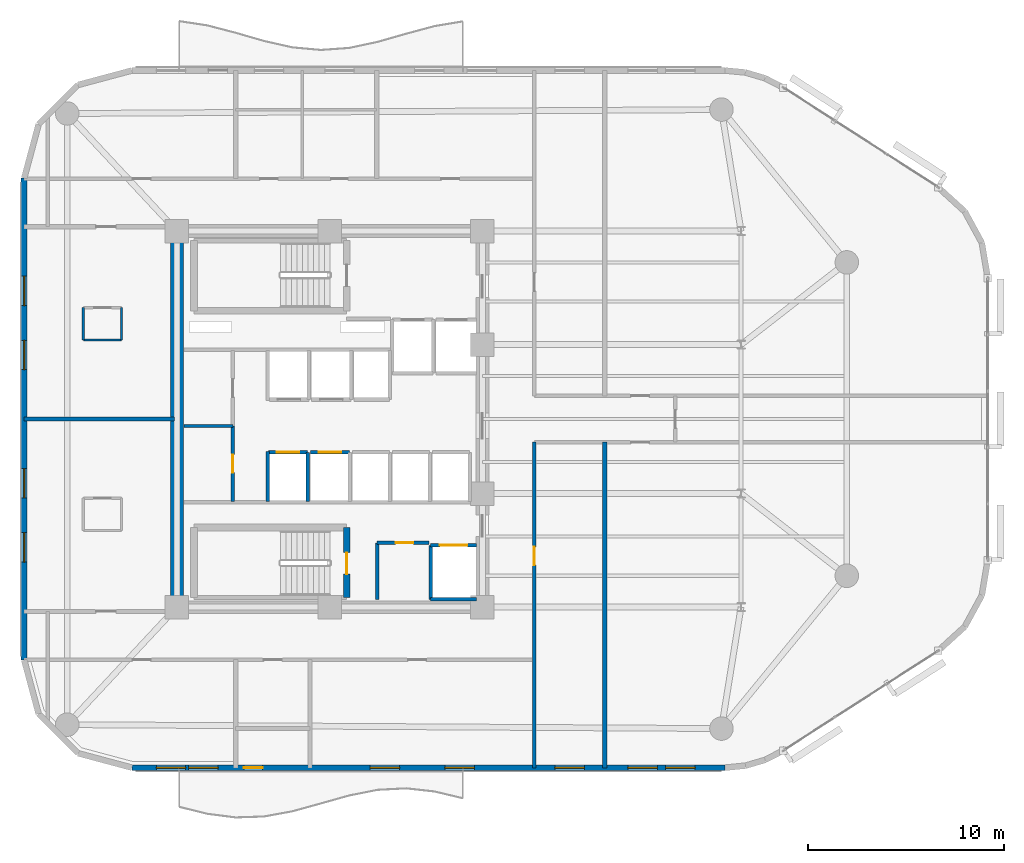
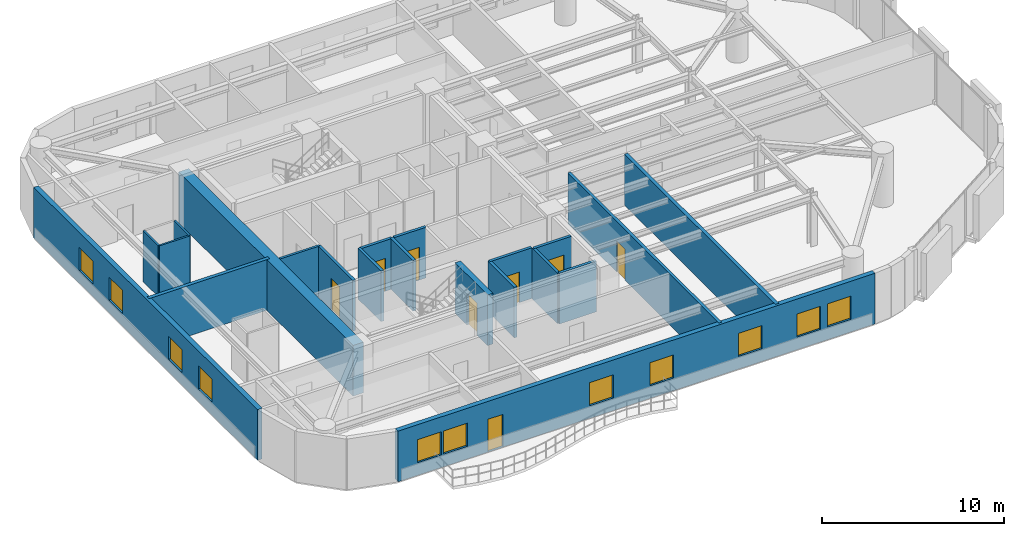
# One storey, part 10 of 15: 21 walls, 11 windows, 8 doors, 19 openings.
"""IFC4 building model written with IfcOpenShell, lengths in metres."""

from ifc_helpers import new_model, si_unit, direction, frame, frame_2d, origin, place, context, subcontext, project, spatial, rectangle, extrude, material, layer, layer_set, type_object, element, fill, save


model = new_model("IFC4")

# Units and contexts
model_context = context("Model", 3, precision=1e-05, world=origin(), true_north=direction((0.0, 1.0)))
body_context = subcontext(model_context, "Body", "Model", "MODEL_VIEW")
ifc_project = project(units=[si_unit("LENGTHUNIT", "METRE"), si_unit("AREAUNIT", "SQUARE_METRE"), si_unit("VOLUMEUNIT", "CUBIC_METRE"), si_unit("PLANEANGLEUNIT", "RADIAN"), si_unit("MASSUNIT", "GRAM", prefix="KILO")], contexts=[model_context])

# Site, building, storey
site_placement = place(None, origin())
site = spatial("IfcSite", under=ifc_project, at=site_placement, CompositionType="ELEMENT")
building_placement = place(site_placement, origin())
building = spatial("IfcBuilding", under=site, at=building_placement, Name="An Khanh Terracotta Commons", CompositionType="ELEMENT")
storey_placement = place(building_placement, frame((0.0, 0.0, 179.800048828125)))
storey = spatial("IfcBuildingStorey", under=building, at=storey_placement, Name="L47", CompositionType="ELEMENT", Elevation=179.800048828125)

# Wall
ifc_material_1 = material(Name="Concrete C60/75", Category="concrete")
ifc_layer_1 = layer(ifc_material_1, 0.64990234375, Name="Concrete C60/75")
ifc_layer_set_1 = layer_set([ifc_layer_1], Name="Concrete C60/75")
wall_type_1 = type_object("IfcWallType", Name="WALL-CORE-650", PredefinedType="SHEAR", material=ifc_layer_set_1)
wall_1_placement = place(storey_placement, frame((21.60009765625, 14.39990234375, 0.0), z_axis=(0.0, 0.0, 1.0), x_axis=(0.0, 1.0, 0.0)))
element("IfcWall", 1, at=wall_1_placement, inside=storey, type_object=wall_type_1, Name="L47 Core Wall CWALL-L47-W", PredefinedType="SHEAR", context=body_context, shape_type="SweptSolid", body=[
    extrude(rectangle(XDim=19.2001953125, YDim=0.64990234375, at=frame_2d((9.60009765625, 0.0))), origin(), (0.0, 0.0, 1.0), 3.39990234375),
])

# Wall, opening, door
ifc_material_2 = material(Name="Fire-Rated Gypsum Board on Steel Stud", Category="steel")
ifc_layer_2 = layer(ifc_material_2, 0.179931640625, Name="Fire-Rated Gypsum Board on Steel Stud")
ifc_layer_set_2 = layer_set([ifc_layer_2], Name="Fire-Rated Gypsum Board on Steel Stud")
wall_type_2 = type_object("IfcWallType", Name="WALL-CORR-180", PredefinedType="PARTITIONING", material=ifc_layer_set_2)
wall_2_placement = place(storey_placement, frame((31.820068359375, 17.679931640625, 0.0), z_axis=(0.0, 0.0, 1.0), x_axis=(1.0, 0.0, 0.0)))
wall_2 = element("IfcWall", 2, at=wall_2_placement, inside=storey, type_object=wall_type_2, Name="L47 Core Wall SSVCW-L47-N", PredefinedType="PARTITIONING", context=body_context, shape_type="SweptSolid", body=[
    extrude(rectangle(XDim=2.659912109375, YDim=0.179931640625, at=frame_2d((1.330078125, 0.0))), origin(), (0.0, 0.0, 1.0), 3.39990234375),
])
opening_1_placement = place(wall_2_placement, frame((0.949951171875, 0.0, 0.0)))
opening_1 = element("IfcOpeningElement", 3, at=opening_1_placement, cuts=wall_2, Name="Opening D-SV", PredefinedType="OPENING", context=body_context, shape_type="SweptSolid", body=[
    extrude(rectangle(XDim=0.89990234375, YDim=2.050048828125, at=frame_2d((0.449951171875, 1.02490234375))), frame((0.0, 0.099853515625, 0.0), z_axis=(0.0, -1.0, 0.0), x_axis=(1.0, 0.0, 0.0)), (0.0, 0.0, 1.0), 0.199951171875),
])
ifc_material_3 = material(Name="Fire-Rated Powder-Coated Steel Door", Category="steel")
door_type_1 = type_object("IfcDoorType", Name="DOOR-SERV-900", OperationType="NOTDEFINED", PredefinedType="DOOR", material=ifc_material_3)
door_1_placement = place(opening_1_placement, origin())
door_1 = element("IfcDoor", 4, at=door_1_placement, inside=storey, type_object=door_type_1, Name="L47 Electrical Switch Cupboard Door", OperationType="SINGLE_SWING_RIGHT", OverallHeight=2.050048828125, OverallWidth=0.89990234375, PredefinedType="DOOR", context=body_context, shape_type="SweptSolid", body=[
    extrude(rectangle(XDim=0.89990234375, YDim=2.050048828125, at=frame_2d((0.449951171875, 1.02490234375))), frame((0.0, 0.02490234375, 0.0), z_axis=(0.0, -1.0, 0.0), x_axis=(1.0, 0.0, 0.0)), (0.0, 0.0, 1.0), 0.050048828125),
])
fill(opening_1, door_1)

# Wall
wall_3_placement = place(storey_placement, frame((31.820068359375, 14.800048828125, 0.0), z_axis=(0.0, 0.0, 1.0), x_axis=(0.0, 1.0, 0.0)))
element("IfcWall", 5, at=wall_3_placement, inside=storey, type_object=wall_type_2, Name="L47 Core Wall SSVCW-L47-W", PredefinedType="PARTITIONING", context=body_context, shape_type="SweptSolid", body=[
    extrude(rectangle(XDim=2.8798828125, YDim=0.179931640625, at=frame_2d((1.43994140625, 0.0))), origin(), (0.0, 0.0, 1.0), 3.39990234375),
])

# Wall, opening, door
wall_4_placement = place(storey_placement, frame((34.550048828125, 17.550048828125, 0.0), z_axis=(0.0, 0.0, 1.0), x_axis=(1.0, 0.0, 0.0)))
wall_4 = element("IfcWall", 6, at=wall_4_placement, inside=storey, type_object=wall_type_2, Name="L47 Core Wall LSH-L47-SVL-01-N", PredefinedType="PARTITIONING", context=body_context, shape_type="SweptSolid", body=[
    extrude(rectangle(XDim=2.349853515625, YDim=0.179931640625, at=frame_2d((1.1748046875, 0.0))), origin(), (0.0, 0.0, 1.0), 3.39990234375),
])
opening_2_placement = place(wall_4_placement, frame((0.47509765625, 0.0, 0.0)))
opening_2 = element("IfcOpeningElement", 7, at=opening_2_placement, cuts=wall_4, Name="Opening LD-SVL-01-L47", PredefinedType="OPENING", context=body_context, shape_type="SweptSolid", body=[
    extrude(rectangle(XDim=1.39990234375, YDim=2.300048828125, at=frame_2d((0.699951171875, 1.14990234375))), frame((0.0, 0.099853515625, 0.0), z_axis=(0.0, -1.0, 0.0), x_axis=(1.0, 0.0, 0.0)), (0.0, 0.0, 1.0), 0.199951171875),
])
ifc_material_4 = material(Name="Heavy-Duty Stainless Steel Goods Landing Door", Category="steel")
door_type_2 = type_object("IfcDoorType", Name="DOOR-LD-SVL-1400", OperationType="NOTDEFINED", PredefinedType="DOOR", material=ifc_material_4)
door_2_placement = place(opening_2_placement, origin())
door_2 = element("IfcDoor", 8, at=door_2_placement, inside=storey, type_object=door_type_2, Name="L47 Lift SVL-01 Sliding Landing Door", OperationType="DOUBLE_DOOR_SLIDING", OverallHeight=2.300048828125, OverallWidth=1.39990234375, PredefinedType="DOOR", context=body_context, shape_type="SweptSolid", body=[
    extrude(rectangle(XDim=1.39990234375, YDim=2.300048828125, at=frame_2d((0.699951171875, 1.14990234375))), frame((0.0, 0.02490234375, 0.0), z_axis=(0.0, -1.0, 0.0), x_axis=(1.0, 0.0, 0.0)), (0.0, 0.0, 1.0), 0.050048828125),
])
fill(opening_2, door_2)

# Walls
wall_5_placement = place(storey_placement, frame((36.89990234375, 14.800048828125, 0.0), z_axis=(0.0, 0.0, 1.0), x_axis=(-1.0, 0.0, 0.0)))
element("IfcWall", 9, at=wall_5_placement, inside=storey, type_object=wall_type_2, Name="L47 Core Wall LSH-L47-SVL-01-S", PredefinedType="PARTITIONING", context=body_context, shape_type="SweptSolid", body=[
    extrude(rectangle(XDim=2.349853515625, YDim=0.179931640625, at=frame_2d((1.1748046875, 0.0))), origin(), (0.0, 0.0, 1.0), 3.39990234375),
])
wall_6_placement = place(storey_placement, frame((34.550048828125, 17.550048828125, 0.0), z_axis=(0.0, 0.0, 1.0), x_axis=(0.0, -1.0, 0.0)))
element("IfcWall", 10, at=wall_6_placement, inside=storey, type_object=wall_type_2, Name="L47 Core Wall LSH-L47-SVL-01-W", PredefinedType="PARTITIONING", context=body_context, shape_type="SweptSolid", body=[
    extrude(rectangle(XDim=2.75, YDim=0.179931640625, at=frame_2d((1.375, 0.0))), origin(), (0.0, 0.0, 1.0), 3.39990234375),
])

# Wall, opening, door
wall_7_placement = place(storey_placement, frame((26.280029296875, 22.300048828125, 0.0), z_axis=(0.0, 0.0, 1.0), x_axis=(1.0, 0.0, 0.0)))
wall_7 = element("IfcWall", 11, at=wall_7_placement, inside=storey, type_object=wall_type_2, Name="L47 Core Wall LSH-L47-PL-M3-N", PredefinedType="PARTITIONING", context=body_context, shape_type="SweptSolid", body=[
    extrude(rectangle(XDim=2.0, YDim=0.179931640625, at=frame_2d((1.0, 0.0))), origin(), (0.0, 0.0, 1.0), 3.39990234375),
])
opening_3_placement = place(wall_7_placement, frame((0.425048828125, 0.0, 0.0)))
opening_3 = element("IfcOpeningElement", 12, at=opening_3_placement, cuts=wall_7, Name="Opening LD-PL-M3-L47", PredefinedType="OPENING", context=body_context, shape_type="SweptSolid", body=[
    extrude(rectangle(XDim=1.14990234375, YDim=2.199951171875, at=frame_2d((0.574951171875, 1.10009765625))), frame((0.0, 0.099853515625, 0.0), z_axis=(0.0, -1.0, 0.0), x_axis=(1.0, 0.0, 0.0)), (0.0, 0.0, 1.0), 0.199951171875),
])
ifc_material_5 = material(Name="Brushed Stainless Steel Passenger Landing Door", Category="steel")
door_type_3 = type_object("IfcDoorType", Name="DOOR-LD-PAX-1150", OperationType="NOTDEFINED", PredefinedType="DOOR", material=ifc_material_5)
door_3_placement = place(opening_3_placement, origin())
door_3 = element("IfcDoor", 13, at=door_3_placement, inside=storey, type_object=door_type_3, Name="L47 Lift PL-M3 Sliding Landing Door", OperationType="DOUBLE_DOOR_SLIDING", OverallHeight=2.199951171875, OverallWidth=1.14990234375, PredefinedType="DOOR", context=body_context, shape_type="SweptSolid", body=[
    extrude(rectangle(XDim=1.14990234375, YDim=2.199951171875, at=frame_2d((0.574951171875, 1.10009765625))), frame((0.0, 0.02490234375, 0.0), z_axis=(0.0, -1.0, 0.0), x_axis=(1.0, 0.0, 0.0)), (0.0, 0.0, 1.0), 0.050048828125),
])
fill(opening_3, door_3)

# Wall
wall_8_placement = place(storey_placement, frame((28.280029296875, 19.800048828125, 0.0), z_axis=(0.0, 0.0, 1.0), x_axis=(0.0, 1.0, 0.0)))
element("IfcWall", 14, at=wall_8_placement, inside=storey, type_object=wall_type_2, Name="L47 Core Wall LSH-L47-PL-M3-E", PredefinedType="PARTITIONING", context=body_context, shape_type="SweptSolid", body=[
    extrude(rectangle(XDim=2.5, YDim=0.179931640625, at=frame_2d((1.25, 0.0))), origin(), (0.0, 0.0, 1.0), 3.39990234375),
])

# Wall, opening, door
wall_9_placement = place(storey_placement, frame((28.419921875, 22.300048828125, 0.0), z_axis=(0.0, 0.0, 1.0), x_axis=(1.0, 0.0, 0.0)))
wall_9 = element("IfcWall", 15, at=wall_9_placement, inside=storey, type_object=wall_type_2, Name="L47 Core Wall LSH-L47-PL-M4-N", PredefinedType="PARTITIONING", context=body_context, shape_type="SweptSolid", body=[
    extrude(rectangle(XDim=2.0, YDim=0.179931640625, at=frame_2d((1.0, 0.0))), origin(), (0.0, 0.0, 1.0), 3.39990234375),
])
opening_4_placement = place(wall_9_placement, frame((0.425048828125, 0.0, 0.0)))
opening_4 = element("IfcOpeningElement", 16, at=opening_4_placement, cuts=wall_9, Name="Opening LD-PL-M4-L47", PredefinedType="OPENING", context=body_context, shape_type="SweptSolid", body=[
    extrude(rectangle(XDim=1.14990234375, YDim=2.199951171875, at=frame_2d((0.574951171875, 1.10009765625))), frame((0.0, 0.099853515625, 0.0), z_axis=(0.0, -1.0, 0.0), x_axis=(1.0, 0.0, 0.0)), (0.0, 0.0, 1.0), 0.199951171875),
])
door_4_placement = place(opening_4_placement, origin())
door_4 = element("IfcDoor", 17, at=door_4_placement, inside=storey, type_object=door_type_3, Name="L47 Lift PL-M4 Sliding Landing Door", OperationType="DOUBLE_DOOR_SLIDING", OverallHeight=2.199951171875, OverallWidth=1.14990234375, PredefinedType="DOOR", context=body_context, shape_type="SweptSolid", body=[
    extrude(rectangle(XDim=1.14990234375, YDim=2.199951171875, at=frame_2d((0.574951171875, 1.10009765625))), frame((0.0, 0.02490234375, 0.0), z_axis=(0.0, -1.0, 0.0), x_axis=(1.0, 0.0, 0.0)), (0.0, 0.0, 1.0), 0.050048828125),
])
fill(opening_4, door_4)

wall_10_placement = place(storey_placement, frame((24.4599609375, 19.800048828125, 0.0), z_axis=(0.0, 0.0, 1.0), x_axis=(0.0, 1.0, 0.0)))
wall_10 = element("IfcWall", 18, at=wall_10_placement, inside=storey, type_object=wall_type_2, Name="L47 Core Wall RECW-L47-E2", PredefinedType="PARTITIONING", context=body_context, shape_type="SweptSolid", body=[
    extrude(rectangle(XDim=3.849853515625, YDim=0.179931640625, at=frame_2d((1.9248046875, 0.0))), origin(), (0.0, 0.0, 1.0), 3.39990234375),
])
opening_5_placement = place(wall_10_placement, frame((1.465087890625, 0.0, 0.0)))
opening_5 = element("IfcOpeningElement", 19, at=opening_5_placement, cuts=wall_10, Name="Opening D-RM", PredefinedType="OPENING", context=body_context, shape_type="SweptSolid", body=[
    extrude(rectangle(XDim=0.919921875, YDim=2.10009765625, at=frame_2d((0.4599609375, 1.050048828125))), frame((0.0, 0.099853515625, 0.0), z_axis=(0.0, -1.0, 0.0), x_axis=(1.0, 0.0, 0.0)), (0.0, 0.0, 1.0), 0.199951171875),
])
ifc_material_6 = material(Name="Engineered Hardwood Timber Leaf", Category="wood")
door_type_4 = type_object("IfcDoorType", Name="DOOR-INT-920", OperationType="NOTDEFINED", PredefinedType="DOOR", material=ifc_material_6)
door_5_placement = place(opening_5_placement, origin())
door_5 = element("IfcDoor", 20, at=door_5_placement, inside=storey, type_object=door_type_4, Name="L47 Floor Pantry and Ice Room Door", OperationType="SINGLE_SWING_RIGHT", OverallHeight=2.10009765625, OverallWidth=0.919921875, PredefinedType="DOOR", context=body_context, shape_type="SweptSolid", body=[
    extrude(rectangle(XDim=0.919921875, YDim=2.10009765625, at=frame_2d((0.4599609375, 1.050048828125))), frame((0.0, 0.02490234375, 0.0), z_axis=(0.0, -1.0, 0.0), x_axis=(1.0, 0.0, 0.0)), (0.0, 0.0, 1.0), 0.050048828125),
])
fill(opening_5, door_5)

# Wall
wall_11_placement = place(storey_placement, frame((26.25, 19.800048828125, 0.0), z_axis=(0.0, 0.0, 1.0), x_axis=(0.0, 1.0, 0.0)))
element("IfcWall", 21, at=wall_11_placement, inside=storey, type_object=wall_type_2, Name="L47 Core Wall RECW-L47-BE2", PredefinedType="PARTITIONING", context=body_context, shape_type="SweptSolid", body=[
    extrude(rectangle(XDim=2.550048828125, YDim=0.179931640625, at=frame_2d((1.27490234375, 0.0))), origin(), (0.0, 0.0, 1.0), 3.39990234375),
])

# Wall, opening, door
wall_12_placement = place(storey_placement, frame((39.85009765625, 6.199951171875, 0.0), z_axis=(0.0, 0.0, 1.0), x_axis=(0.0, 1.0, 0.0)))
wall_12 = element("IfcWall", 22, at=wall_12_placement, inside=storey, type_object=wall_type_2, Name="L47 Interior Partition IW-L47-E017", PredefinedType="PARTITIONING", context=body_context, shape_type="SweptSolid", body=[
    extrude(rectangle(XDim=16.6201171875, YDim=0.179931640625, at=frame_2d((8.31005859375, 0.0))), origin(), (0.0, 0.0, 1.0), 3.39990234375),
])
opening_6_placement = place(wall_12_placement, frame((10.35009765625, 0.0, 0.0)))
opening_6 = element("IfcOpeningElement", 23, at=opening_6_placement, cuts=wall_12, Name="Opening D-RM", PredefinedType="OPENING", context=body_context, shape_type="SweptSolid", body=[
    extrude(rectangle(XDim=0.919921875, YDim=2.10009765625, at=frame_2d((0.4599609375, 1.050048828125))), frame((0.0, 0.099853515625, 0.0), z_axis=(0.0, -1.0, 0.0), x_axis=(1.0, 0.0, 0.0)), (0.0, 0.0, 1.0), 0.199951171875),
])
door_6_placement = place(opening_6_placement, origin())
door_6 = element("IfcDoor", 24, at=door_6_placement, inside=storey, type_object=door_type_4, Name="L47 T5SW Group Tutorial Meeting Room Door", OperationType="SINGLE_SWING_LEFT", OverallHeight=2.10009765625, OverallWidth=0.919921875, PredefinedType="DOOR", context=body_context, shape_type="SweptSolid", body=[
    extrude(rectangle(XDim=0.919921875, YDim=2.10009765625, at=frame_2d((0.4599609375, 1.050048828125))), frame((0.0, 0.02490234375, 0.0), z_axis=(0.0, -1.0, 0.0), x_axis=(1.0, 0.0, 0.0)), (0.0, 0.0, 1.0), 0.050048828125),
])
fill(opening_6, door_6)

# Wall, openings, door, windows
ifc_material_7 = material(Name="Precast concrete C40/50", Category="concrete")
ifc_layer_3 = layer(ifc_material_7, 0.300048828125, Name="Precast concrete C40/50")
ifc_layer_set_3 = layer_set([ifc_layer_3], Name="Precast concrete C40/50")
wall_type_3 = type_object("IfcWallType", Name="WALL-EXT-300", PredefinedType="SOLIDWALL", material=ifc_layer_set_3)
wall_13_placement = place(storey_placement, frame((19.300048828125, 6.199951171875, 0.0), z_axis=(0.0, 0.0, 1.0), x_axis=(1.0, 0.0, 0.0)))
wall_13 = element("IfcWall", 25, at=wall_13_placement, inside=storey, type_object=wall_type_3, Name="L47 Insulated Terracotta Exterior Wall 4", PredefinedType="SOLIDWALL", context=body_context, shape_type="SweptSolid", body=[
    extrude(rectangle(XDim=30.281982421875, YDim=0.300048828125, at=frame_2d((15.14111328125, 0.0))), origin(), (0.0, 0.0, 1.0), 3.39990234375),
])
opening_7_placement = place(wall_13_placement, frame((5.72509765625, 0.0, 0.0)))
opening_7 = element("IfcOpeningElement", 26, at=opening_7_placement, cuts=wall_13, Name="Opening D-BAL", PredefinedType="OPENING", context=body_context, shape_type="SweptSolid", body=[
    extrude(rectangle(XDim=0.949951171875, YDim=2.199951171875, at=frame_2d((0.47509765625, 1.10009765625))), frame((0.0, 0.159912109375, 0.0), z_axis=(0.0, -1.0, 0.0), x_axis=(1.0, 0.0, 0.0)), (0.0, 0.0, 1.0), 0.320068359375),
])
opening_8_placement = place(wall_13_placement, frame((1.25, 0.0, 0.85009765625)))
opening_8 = element("IfcOpeningElement", 27, at=opening_8_placement, cuts=wall_13, Name="Opening W-03", PredefinedType="OPENING", context=body_context, shape_type="SweptSolid", body=[
    extrude(rectangle(XDim=1.5, YDim=1.550048828125, at=frame_2d((0.75, 0.77490234375))), frame((0.0, 0.159912109375, 0.0), z_axis=(0.0, -1.0, 0.0), x_axis=(1.0, 0.0, 0.0)), (0.0, 0.0, 1.0), 0.320068359375),
])
opening_9_placement = place(wall_13_placement, frame((2.89990234375, 0.0, 0.85009765625)))
opening_9 = element("IfcOpeningElement", 28, at=opening_9_placement, cuts=wall_13, Name="Opening W-03", PredefinedType="OPENING", context=body_context, shape_type="SweptSolid", body=[
    extrude(rectangle(XDim=1.5, YDim=1.550048828125, at=frame_2d((0.75, 0.77490234375))), frame((0.0, 0.159912109375, 0.0), z_axis=(0.0, -1.0, 0.0), x_axis=(1.0, 0.0, 0.0)), (0.0, 0.0, 1.0), 0.320068359375),
])
opening_10_placement = place(wall_13_placement, frame((12.1669921875, 0.0, 0.85009765625)))
opening_10 = element("IfcOpeningElement", 29, at=opening_10_placement, cuts=wall_13, Name="Opening W-03", PredefinedType="OPENING", context=body_context, shape_type="SweptSolid", body=[
    extrude(rectangle(XDim=1.5, YDim=1.550048828125, at=frame_2d((0.75, 0.77490234375))), frame((0.0, 0.159912109375, 0.0), z_axis=(0.0, -1.0, 0.0), x_axis=(1.0, 0.0, 0.0)), (0.0, 0.0, 1.0), 0.320068359375),
])
opening_11_placement = place(wall_13_placement, frame((15.98291015625, 0.0, 0.85009765625)))
opening_11 = element("IfcOpeningElement", 30, at=opening_11_placement, cuts=wall_13, Name="Opening W-03", PredefinedType="OPENING", context=body_context, shape_type="SweptSolid", body=[
    extrude(rectangle(XDim=1.5, YDim=1.550048828125, at=frame_2d((0.75, 0.77490234375))), frame((0.0, 0.159912109375, 0.0), z_axis=(0.0, -1.0, 0.0), x_axis=(1.0, 0.0, 0.0)), (0.0, 0.0, 1.0), 0.320068359375),
])
opening_12_placement = place(wall_13_placement, frame((21.60009765625, 0.0, 0.85009765625)))
opening_12 = element("IfcOpeningElement", 31, at=opening_12_placement, cuts=wall_13, Name="Opening W-03", PredefinedType="OPENING", context=body_context, shape_type="SweptSolid", body=[
    extrude(rectangle(XDim=1.5, YDim=1.550048828125, at=frame_2d((0.75, 0.77490234375))), frame((0.0, 0.159912109375, 0.0), z_axis=(0.0, -1.0, 0.0), x_axis=(1.0, 0.0, 0.0)), (0.0, 0.0, 1.0), 0.320068359375),
])
opening_13_placement = place(wall_13_placement, frame((25.326904296875, 0.0, 0.85009765625)))
opening_13 = element("IfcOpeningElement", 32, at=opening_13_placement, cuts=wall_13, Name="Opening W-03", PredefinedType="OPENING", context=body_context, shape_type="SweptSolid", body=[
    extrude(rectangle(XDim=1.5, YDim=1.550048828125, at=frame_2d((0.75, 0.77490234375))), frame((0.0, 0.159912109375, 0.0), z_axis=(0.0, -1.0, 0.0), x_axis=(1.0, 0.0, 0.0)), (0.0, 0.0, 1.0), 0.320068359375),
])
opening_14_placement = place(wall_13_placement, frame((27.2548828125, 0.0, 0.85009765625)))
opening_14 = element("IfcOpeningElement", 33, at=opening_14_placement, cuts=wall_13, Name="Opening W-03", PredefinedType="OPENING", context=body_context, shape_type="SweptSolid", body=[
    extrude(rectangle(XDim=1.5, YDim=1.550048828125, at=frame_2d((0.75, 0.77490234375))), frame((0.0, 0.159912109375, 0.0), z_axis=(0.0, -1.0, 0.0), x_axis=(1.0, 0.0, 0.0)), (0.0, 0.0, 1.0), 0.320068359375),
])
ifc_material_8 = material(Name="Thermally Broken Aluminium and Low-E Glass", Category="aluminium")
door_type_5 = type_object("IfcDoorType", Name="DOOR-BALC-950", OperationType="NOTDEFINED", PredefinedType="DOOR", material=ifc_material_8)
door_7_placement = place(opening_7_placement, origin())
door_7 = element("IfcDoor", 34, at=door_7_placement, inside=storey, type_object=door_type_5, Name="L47 S Wave Balcony Glazed Door", OperationType="SINGLE_SWING_LEFT", OverallHeight=2.199951171875, OverallWidth=0.949951171875, PredefinedType="DOOR", context=body_context, shape_type="SweptSolid", body=[
    extrude(rectangle(XDim=0.949951171875, YDim=2.199951171875, at=frame_2d((0.47509765625, 1.10009765625))), frame((0.0, 0.02490234375, 0.0), z_axis=(0.0, -1.0, 0.0), x_axis=(1.0, 0.0, 0.0)), (0.0, 0.0, 1.0), 0.050048828125),
])
fill(opening_7, door_7)
window_type = type_object("IfcWindowType", Name="WIN-Z3-1500x1550", PartitioningType="DOUBLE_PANEL_VERTICAL", PredefinedType="WINDOW", material=ifc_material_8)
window_1_placement = place(opening_8_placement, origin())
window_1 = element("IfcWindow", 35, at=window_1_placement, inside=storey, type_object=window_type, Name="L47 Operable Casement Window 4.1", OverallHeight=1.550048828125, OverallWidth=1.5, PartitioningType="DOUBLE_PANEL_VERTICAL", PredefinedType="WINDOW", context=body_context, shape_type="SweptSolid", body=[
    extrude(rectangle(XDim=1.5, YDim=1.550048828125, at=frame_2d((0.75, 0.77490234375))), frame((0.0, 0.030029296875, 0.0), z_axis=(0.0, -1.0, 0.0), x_axis=(1.0, 0.0, 0.0)), (0.0, 0.0, 1.0), 0.06005859375),
])
fill(opening_8, window_1)
window_2_placement = place(opening_9_placement, origin())
window_2 = element("IfcWindow", 36, at=window_2_placement, inside=storey, type_object=window_type, Name="L47 Operable Casement Window 4.2", OverallHeight=1.550048828125, OverallWidth=1.5, PartitioningType="DOUBLE_PANEL_VERTICAL", PredefinedType="WINDOW", context=body_context, shape_type="SweptSolid", body=[
    extrude(rectangle(XDim=1.5, YDim=1.550048828125, at=frame_2d((0.75, 0.77490234375))), frame((0.0, 0.030029296875, 0.0), z_axis=(0.0, -1.0, 0.0), x_axis=(1.0, 0.0, 0.0)), (0.0, 0.0, 1.0), 0.06005859375),
])
fill(opening_9, window_2)
window_3_placement = place(opening_10_placement, origin())
window_3 = element("IfcWindow", 37, at=window_3_placement, inside=storey, type_object=window_type, Name="L47 Operable Casement Window 4.3", OverallHeight=1.550048828125, OverallWidth=1.5, PartitioningType="DOUBLE_PANEL_VERTICAL", PredefinedType="WINDOW", context=body_context, shape_type="SweptSolid", body=[
    extrude(rectangle(XDim=1.5, YDim=1.550048828125, at=frame_2d((0.75, 0.77490234375))), frame((0.0, 0.030029296875, 0.0), z_axis=(0.0, -1.0, 0.0), x_axis=(1.0, 0.0, 0.0)), (0.0, 0.0, 1.0), 0.06005859375),
])
fill(opening_10, window_3)
window_4_placement = place(opening_11_placement, origin())
window_4 = element("IfcWindow", 38, at=window_4_placement, inside=storey, type_object=window_type, Name="L47 Operable Casement Window 4.4", OverallHeight=1.550048828125, OverallWidth=1.5, PartitioningType="DOUBLE_PANEL_VERTICAL", PredefinedType="WINDOW", context=body_context, shape_type="SweptSolid", body=[
    extrude(rectangle(XDim=1.5, YDim=1.550048828125, at=frame_2d((0.75, 0.77490234375))), frame((0.0, 0.030029296875, 0.0), z_axis=(0.0, -1.0, 0.0), x_axis=(1.0, 0.0, 0.0)), (0.0, 0.0, 1.0), 0.06005859375),
])
fill(opening_11, window_4)
window_5_placement = place(opening_12_placement, origin())
window_5 = element("IfcWindow", 39, at=window_5_placement, inside=storey, type_object=window_type, Name="L47 Operable Casement Window 4.5", OverallHeight=1.550048828125, OverallWidth=1.5, PartitioningType="DOUBLE_PANEL_VERTICAL", PredefinedType="WINDOW", context=body_context, shape_type="SweptSolid", body=[
    extrude(rectangle(XDim=1.5, YDim=1.550048828125, at=frame_2d((0.75, 0.77490234375))), frame((0.0, 0.030029296875, 0.0), z_axis=(0.0, -1.0, 0.0), x_axis=(1.0, 0.0, 0.0)), (0.0, 0.0, 1.0), 0.06005859375),
])
fill(opening_12, window_5)
window_6_placement = place(opening_13_placement, origin())
window_6 = element("IfcWindow", 40, at=window_6_placement, inside=storey, type_object=window_type, Name="L47 Operable Casement Window 4.6", OverallHeight=1.550048828125, OverallWidth=1.5, PartitioningType="DOUBLE_PANEL_VERTICAL", PredefinedType="WINDOW", context=body_context, shape_type="SweptSolid", body=[
    extrude(rectangle(XDim=1.5, YDim=1.550048828125, at=frame_2d((0.75, 0.77490234375))), frame((0.0, 0.030029296875, 0.0), z_axis=(0.0, -1.0, 0.0), x_axis=(1.0, 0.0, 0.0)), (0.0, 0.0, 1.0), 0.06005859375),
])
fill(opening_13, window_6)
window_7_placement = place(opening_14_placement, origin())
window_7 = element("IfcWindow", 41, at=window_7_placement, inside=storey, type_object=window_type, Name="L47 Operable Casement Window 4.7", OverallHeight=1.550048828125, OverallWidth=1.5, PartitioningType="DOUBLE_PANEL_VERTICAL", PredefinedType="WINDOW", context=body_context, shape_type="SweptSolid", body=[
    extrude(rectangle(XDim=1.5, YDim=1.550048828125, at=frame_2d((0.75, 0.77490234375))), frame((0.0, 0.030029296875, 0.0), z_axis=(0.0, -1.0, 0.0), x_axis=(1.0, 0.0, 0.0)), (0.0, 0.0, 1.0), 0.06005859375),
])
fill(opening_14, window_7)

# Wall, openings, windows
wall_14_placement = place(storey_placement, frame((13.800048828125, 36.300048828125, 0.0), z_axis=(0.0, 0.0, 1.0), x_axis=(0.0, -1.0, 0.0)))
wall_14 = element("IfcWall", 42, at=wall_14_placement, inside=storey, type_object=wall_type_3, Name="L47 Insulated Terracotta Exterior Wall 24", PredefinedType="SOLIDWALL", context=body_context, shape_type="SweptSolid", body=[
    extrude(rectangle(XDim=24.60009765625, YDim=0.300048828125, at=frame_2d((12.300048828125, 0.0))), origin(), (0.0, 0.0, 1.0), 3.39990234375),
])
opening_15_placement = place(wall_14_placement, frame((5.0029296875, 0.0, 0.85009765625)))
opening_15 = element("IfcOpeningElement", 43, at=opening_15_placement, cuts=wall_14, Name="Opening W-03", PredefinedType="OPENING", context=body_context, shape_type="SweptSolid", body=[
    extrude(rectangle(XDim=1.5, YDim=1.550048828125, at=frame_2d((0.75, 0.77490234375))), frame((0.0, 0.159912109375, 0.0), z_axis=(0.0, -1.0, 0.0), x_axis=(1.0, 0.0, 0.0)), (0.0, 0.0, 1.0), 0.320068359375),
])
opening_16_placement = place(wall_14_placement, frame((8.277099609375, 0.0, 0.85009765625)))
opening_16 = element("IfcOpeningElement", 44, at=opening_16_placement, cuts=wall_14, Name="Opening W-03", PredefinedType="OPENING", context=body_context, shape_type="SweptSolid", body=[
    extrude(rectangle(XDim=1.5, YDim=1.550048828125, at=frame_2d((0.75, 0.77490234375))), frame((0.0, 0.159912109375, 0.0), z_axis=(0.0, -1.0, 0.0), x_axis=(1.0, 0.0, 0.0)), (0.0, 0.0, 1.0), 0.320068359375),
])
opening_17_placement = place(wall_14_placement, frame((14.822998046875, 0.0, 0.85009765625)))
opening_17 = element("IfcOpeningElement", 45, at=opening_17_placement, cuts=wall_14, Name="Opening W-03", PredefinedType="OPENING", context=body_context, shape_type="SweptSolid", body=[
    extrude(rectangle(XDim=1.5, YDim=1.550048828125, at=frame_2d((0.75, 0.77490234375))), frame((0.0, 0.159912109375, 0.0), z_axis=(0.0, -1.0, 0.0), x_axis=(1.0, 0.0, 0.0)), (0.0, 0.0, 1.0), 0.320068359375),
])
opening_18_placement = place(wall_14_placement, frame((18.096923828125, 0.0, 0.85009765625)))
opening_18 = element("IfcOpeningElement", 46, at=opening_18_placement, cuts=wall_14, Name="Opening W-03", PredefinedType="OPENING", context=body_context, shape_type="SweptSolid", body=[
    extrude(rectangle(XDim=1.5, YDim=1.550048828125, at=frame_2d((0.75, 0.77490234375))), frame((0.0, 0.159912109375, 0.0), z_axis=(0.0, -1.0, 0.0), x_axis=(1.0, 0.0, 0.0)), (0.0, 0.0, 1.0), 0.320068359375),
])
window_8_placement = place(opening_15_placement, origin())
window_8 = element("IfcWindow", 47, at=window_8_placement, inside=storey, type_object=window_type, Name="L47 Operable Casement Window 24.1", OverallHeight=1.550048828125, OverallWidth=1.5, PartitioningType="DOUBLE_PANEL_VERTICAL", PredefinedType="WINDOW", context=body_context, shape_type="SweptSolid", body=[
    extrude(rectangle(XDim=1.5, YDim=1.550048828125, at=frame_2d((0.75, 0.77490234375))), frame((0.0, 0.030029296875, 0.0), z_axis=(0.0, -1.0, 0.0), x_axis=(1.0, 0.0, 0.0)), (0.0, 0.0, 1.0), 0.06005859375),
])
fill(opening_15, window_8)
window_9_placement = place(opening_16_placement, origin())
window_9 = element("IfcWindow", 48, at=window_9_placement, inside=storey, type_object=window_type, Name="L47 Operable Casement Window 24.2", OverallHeight=1.550048828125, OverallWidth=1.5, PartitioningType="DOUBLE_PANEL_VERTICAL", PredefinedType="WINDOW", context=body_context, shape_type="SweptSolid", body=[
    extrude(rectangle(XDim=1.5, YDim=1.550048828125, at=frame_2d((0.75, 0.77490234375))), frame((0.0, 0.030029296875, 0.0), z_axis=(0.0, -1.0, 0.0), x_axis=(1.0, 0.0, 0.0)), (0.0, 0.0, 1.0), 0.06005859375),
])
fill(opening_16, window_9)
window_10_placement = place(opening_17_placement, origin())
window_10 = element("IfcWindow", 49, at=window_10_placement, inside=storey, type_object=window_type, Name="L47 Operable Casement Window 24.3", OverallHeight=1.550048828125, OverallWidth=1.5, PartitioningType="DOUBLE_PANEL_VERTICAL", PredefinedType="WINDOW", context=body_context, shape_type="SweptSolid", body=[
    extrude(rectangle(XDim=1.5, YDim=1.550048828125, at=frame_2d((0.75, 0.77490234375))), frame((0.0, 0.030029296875, 0.0), z_axis=(0.0, -1.0, 0.0), x_axis=(1.0, 0.0, 0.0)), (0.0, 0.0, 1.0), 0.06005859375),
])
fill(opening_17, window_10)
window_11_placement = place(opening_18_placement, origin())
window_11 = element("IfcWindow", 50, at=window_11_placement, inside=storey, type_object=window_type, Name="L47 Operable Casement Window 24.4", OverallHeight=1.550048828125, OverallWidth=1.5, PartitioningType="DOUBLE_PANEL_VERTICAL", PredefinedType="WINDOW", context=body_context, shape_type="SweptSolid", body=[
    extrude(rectangle(XDim=1.5, YDim=1.550048828125, at=frame_2d((0.75, 0.77490234375))), frame((0.0, 0.030029296875, 0.0), z_axis=(0.0, -1.0, 0.0), x_axis=(1.0, 0.0, 0.0)), (0.0, 0.0, 1.0), 0.06005859375),
])
fill(opening_18, window_11)

# Walls
ifc_material_9 = material(Name="Acoustic Gypsum Board Partition")
ifc_layer_4 = layer(ifc_material_9, 0.14990234375, Name="Acoustic Gypsum Board Partition")
ifc_layer_set_4 = layer_set([ifc_layer_4], Name="Acoustic Gypsum Board Partition")
wall_type_4 = type_object("IfcWallType", Name="WALL-PART-150", PredefinedType="PARTITIONING", material=ifc_layer_set_4)
wall_15_placement = place(storey_placement, frame((21.949951171875, 23.64990234375, 0.0), z_axis=(0.0, 0.0, 1.0), x_axis=(1.0, 0.0, 0.0)))
element("IfcWall", 51, at=wall_15_placement, inside=storey, type_object=wall_type_4, Name="L47 Core Wall RECW-L47-M", PredefinedType="PARTITIONING", context=body_context, shape_type="SweptSolid", body=[
    extrude(rectangle(XDim=2.510009765625, YDim=0.14990234375, at=frame_2d((1.2548828125, 0.0))), origin(), (0.0, 0.0, 1.0), 3.39990234375),
])
ifc_material_10 = material(Name="Acoustic Double-Stud Gypsum and Mineral Wool")
ifc_layer_5 = layer(ifc_material_10, 0.219970703125, Name="Acoustic Double-Stud Gypsum and Mineral Wool")
ifc_layer_set_5 = layer_set([ifc_layer_5], Name="Acoustic Double-Stud Gypsum and Mineral Wool")
wall_type_5 = type_object("IfcWallType", Name="WALL-PARTY-220", PredefinedType="PARTITIONING", material=ifc_layer_set_5)
wall_16_placement = place(storey_placement, frame((13.800048828125, 24.0, 0.0), z_axis=(0.0, 0.0, 1.0), x_axis=(1.0, 0.0, 0.0)))
element("IfcWall", 52, at=wall_16_placement, inside=storey, type_object=wall_type_5, Name="L47 Interior Partition IW-L47-E005", PredefinedType="PARTITIONING", context=body_context, shape_type="SweptSolid", body=[
    extrude(rectangle(XDim=7.679931640625, YDim=0.219970703125, at=frame_2d((3.83984375, 0.0))), origin(), (0.0, 0.0, 1.0), 3.39990234375),
])
wall_17_placement = place(storey_placement, frame((43.449951171875, 6.199951171875, 0.0), z_axis=(0.0, 0.0, 1.0), x_axis=(0.0, 1.0, 0.0)))
element("IfcWall", 53, at=wall_17_placement, inside=storey, type_object=wall_type_5, Name="L47 Interior Partition IW-L47-E019", PredefinedType="PARTITIONING", context=body_context, shape_type="SweptSolid", body=[
    extrude(rectangle(XDim=16.6201171875, YDim=0.219970703125, at=frame_2d((8.31005859375, 0.0))), origin(), (0.0, 0.0, 1.0), 3.39990234375),
])

# Wall, opening, door
ifc_material_11 = material(Name="Concrete C50/60", Category="concrete")
ifc_layer_6 = layer(ifc_material_11, 0.35009765625, Name="Concrete C50/60")
ifc_layer_set_6 = layer_set([ifc_layer_6], Name="Concrete C50/60")
wall_type_6 = type_object("IfcWallType", Name="WALL-SHAFT-350", PredefinedType="SOLIDWALL", material=ifc_layer_set_6)
wall_18_placement = place(storey_placement, frame((30.27001953125, 14.889892578125, 0.0), z_axis=(0.0, 0.0, 1.0), x_axis=(0.0, 1.0, 0.0)))
wall_18 = element("IfcWall", 54, at=wall_18_placement, inside=storey, type_object=wall_type_6, Name="L47 Core Wall STW-L47-S-E", PredefinedType="SOLIDWALL", context=body_context, shape_type="SweptSolid", body=[
    extrude(rectangle(XDim=3.580078125, YDim=0.35009765625, at=frame_2d((1.7900390625, 0.0))), origin(), (0.0, 0.0, 1.0), 3.39990234375),
])
opening_19_placement = place(wall_18_placement, frame((1.18994140625, 0.0, 0.0)))
opening_19 = element("IfcOpeningElement", 55, at=opening_19_placement, cuts=wall_18, Name="Opening D-ST", PredefinedType="OPENING", context=body_context, shape_type="SweptSolid", body=[
    extrude(rectangle(XDim=1.10009765625, YDim=2.14990234375, at=frame_2d((0.550048828125, 1.074951171875))), frame((0.0, 0.18505859375, 0.0), z_axis=(0.0, -1.0, 0.0), x_axis=(1.0, 0.0, 0.0)), (0.0, 0.0, 1.0), 0.3701171875),
])
ifc_material_12 = material(Name="Fire-Rated Steel Leaf and Frame", Category="steel")
door_type_6 = type_object("IfcDoorType", Name="DOOR-STAIR-1100", OperationType="NOTDEFINED", PredefinedType="DOOR", material=ifc_material_12)
door_8_placement = place(opening_19_placement, origin())
door_8 = element("IfcDoor", 56, at=door_8_placement, inside=storey, type_object=door_type_6, Name="L47 Stair ST-02 Fire Door", OperationType="SINGLE_SWING_LEFT", OverallHeight=2.14990234375, OverallWidth=1.10009765625, PredefinedType="DOOR", context=body_context, shape_type="SweptSolid", body=[
    extrude(rectangle(XDim=1.10009765625, YDim=2.14990234375, at=frame_2d((0.550048828125, 1.074951171875))), frame((0.0, 0.02490234375, 0.0), z_axis=(0.0, -1.0, 0.0), x_axis=(1.0, 0.0, 0.0)), (0.0, 0.0, 1.0), 0.050048828125),
])
fill(opening_19, door_8)

# Walls
ifc_material_13 = material(Name="Moisture-Resistant Cement Board Partition")
ifc_layer_7 = layer(ifc_material_13, 0.1201171875, Name="Moisture-Resistant Cement Board Partition")
ifc_layer_set_7 = layer_set([ifc_layer_7], Name="Moisture-Resistant Cement Board Partition")
wall_type_7 = type_object("IfcWallType", Name="WALL-WET-120", PredefinedType="PARTITIONING", material=ifc_layer_set_7)
wall_19_placement = place(storey_placement, frame((18.77490234375, 28.034912109375, 0.0), z_axis=(0.0, 0.0, 1.0), x_axis=(-1.0, 0.0, 0.0)))
element("IfcWall", 57, at=wall_19_placement, inside=storey, type_object=wall_type_7, Name="L47 Interior Partition IW-L47-WW2-BS", PredefinedType="PARTITIONING", context=body_context, shape_type="SweptSolid", body=[
    extrude(rectangle(XDim=1.949951171875, YDim=0.1201171875, at=frame_2d((0.97509765625, 0.0))), origin(), (0.0, 0.0, 1.0), 3.39990234375),
])
for number, where, z_axis, x_axis, name in (
    (58, (16.824951171875, 29.68505859375, 0.0), (0.0, 0.0, 1.0), (0.0, -1.0, 0.0), "L47 Interior Partition IW-L47-WW2-BW"),
    (59, (18.77490234375, 28.034912109375, 0.0), (0.0, 0.0, 1.0), (0.0, 1.0, 0.0), "L47 Interior Partition IW-L47-WW2-BE"),
):
    element("IfcWall", number, at=place(storey_placement, frame(where, z_axis=z_axis, x_axis=x_axis)), inside=storey, type_object=wall_type_7, Name=name, PredefinedType="PARTITIONING", context=body_context, shape_type="SweptSolid", body=[
        extrude(rectangle(XDim=1.650146484375, YDim=0.1201171875, at=frame_2d((0.8251953125, 0.0))), origin(), (0.0, 0.0, 1.0), 3.39990234375),
    ])

save(model, "model.ifc")
